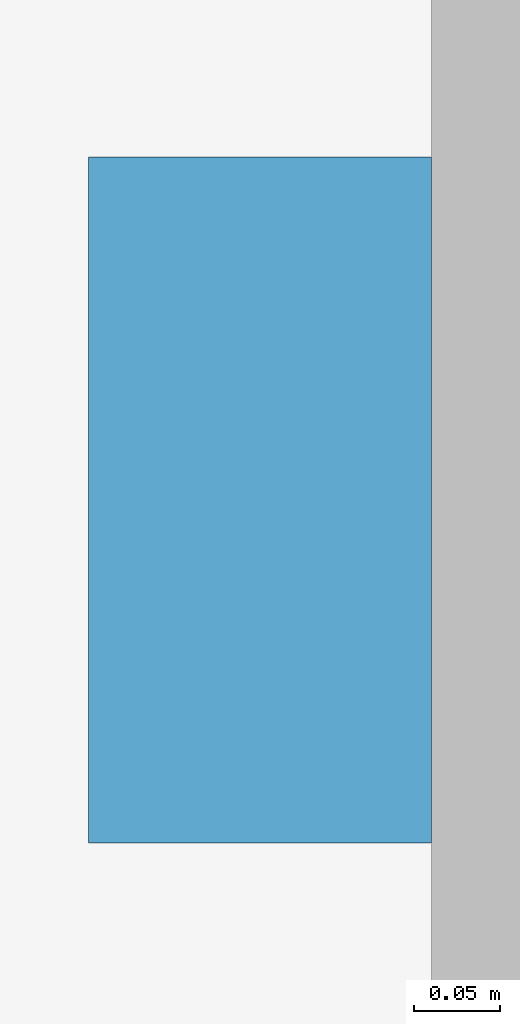
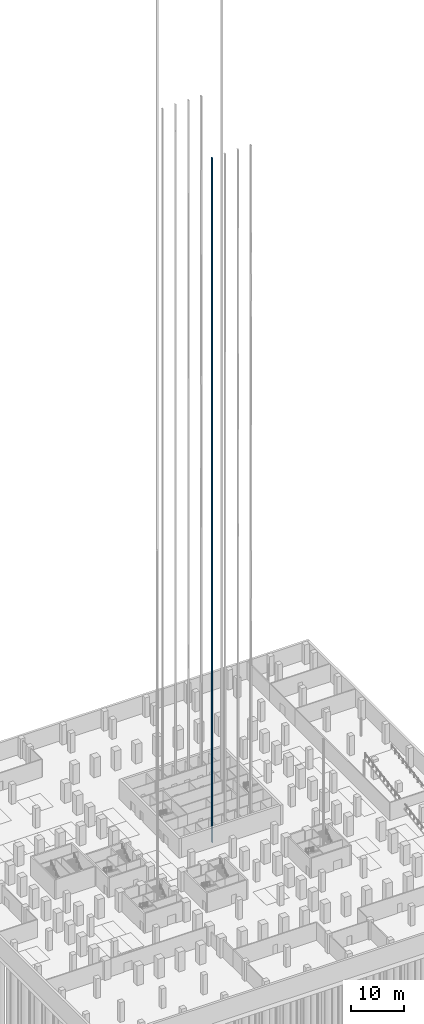
# One storey, part 23 of 37: 1 discrete accessory.
"""IFC4 building model written with IfcOpenShell, lengths in metres."""

import ifcopenshell
import ifcopenshell.guid

model = None  # the IFC model being written
_history = None  # IfcOwnerHistory: only IFC2X3 demands one
_inside = {}  # id of a spatial element -> (the spatial element, [elements in it])
_under = {}  # id of a project, library or spatial element -> (it, [spatial elements below it])
_declared = {}  # id of a project -> (the project, [libraries it declares])
_typed = {}  # id of a type object -> (the type object, [elements of that type])
_made_of = {}  # id of a material, layer set ... -> (it, [elements and type objects made of it])


def new_model(schema):
    """Start an empty IFC model of exactly this schema.

    Asked for "IFC4X3", IfcOpenShell would pick the latest addendum, in which some entities
    have other attributes; the version numbers below select the first issue.
    IFC2X3 requires an IfcOwnerHistory on every rooted entity: one is made here for all.
    """
    global model, _history
    if schema == "IFC4X3":
        model = ifcopenshell.file(schema_version=(4, 3, 0, 0))
    else:
        model = ifcopenshell.file(schema=schema)
    _inside.clear()
    _under.clear()
    _declared.clear()
    _typed.clear()
    _made_of.clear()
    _history = None
    if model.schema == "IFC2X3":
        org = make("IfcOrganization", Name="unknown")
        user = make(
            "IfcPersonAndOrganization",
            ThePerson=make("IfcPerson", FamilyName="unknown"),
            TheOrganization=org,
        )
        app = make(
            "IfcApplication",
            ApplicationDeveloper=org,
            Version="unknown",
            ApplicationFullName="unknown",
            ApplicationIdentifier="unknown",
        )
        _history = make(
            "IfcOwnerHistory",
            OwningUser=user,
            OwningApplication=app,
            ChangeAction="ADDED",
            CreationDate=0,
        )
    return model


def make(cls, **values):
    """One entity of the class cls with the attributes given. An attribute that is None is left unset."""
    return model.create_entity(
        cls, **{name: value for name, value in values.items() if value is not None}
    )


def rooted(cls, **values):
    """An entity with a GlobalId (a new one), such as an element, a storey or a relation."""
    return make(cls, GlobalId=ifcopenshell.guid.new(), OwnerHistory=_history, **values)


def si_unit(unit_type, name, prefix=None):
    """IfcSIUnit, for example si_unit("LENGTHUNIT", "METRE", prefix="MILLI")."""
    return make("IfcSIUnit", UnitType=unit_type, Prefix=prefix, Name=name)


def assignment(units):
    """IfcUnitAssignment: the units of a project."""
    return None if units is None else make("IfcUnitAssignment", Units=units)


def point(xyz):
    """IfcCartesianPoint."""
    return None if xyz is None else make("IfcCartesianPoint", Coordinates=xyz)


def direction(xyz):
    """IfcDirection."""
    return None if xyz is None else make("IfcDirection", DirectionRatios=xyz)


def frame(location, z_axis=None, x_axis=None):
    """IfcAxis2Placement3D, a coordinate frame: its origin and axes. An axis left out is left unset."""
    return make(
        "IfcAxis2Placement3D",
        Location=point(location),
        Axis=direction(z_axis),
        RefDirection=direction(x_axis),
    )


def frame_2d(location, x_axis=None):
    """IfcAxis2Placement2D, a coordinate frame in the plane: its origin and x axis."""
    return make(
        "IfcAxis2Placement2D", Location=point(location), RefDirection=direction(x_axis)
    )


def origin():
    """The frame at (0, 0, 0) with its axes left unset."""
    return frame((0.0, 0.0, 0.0))


def origin_2d():
    """The frame at (0, 0) in the plane with its x axis left unset."""
    return frame_2d((0.0, 0.0))


def place(relative_to, where):
    """IfcLocalPlacement: puts the frame where relative to a parent placement (None: the world)."""
    return make(
        "IfcLocalPlacement", PlacementRelTo=relative_to, RelativePlacement=where
    )


def context(
    kind, dimensions, precision=None, world=None, true_north=None, identifier=None
):
    """IfcGeometricRepresentationContext, for example the 3D "Model" context."""
    return make(
        "IfcGeometricRepresentationContext",
        ContextIdentifier=identifier,
        ContextType=kind,
        CoordinateSpaceDimension=dimensions,
        Precision=precision,
        WorldCoordinateSystem=world,
        TrueNorth=true_north,
    )


def subcontext(parent, identifier, kind, view, scale=None):
    """IfcGeometricRepresentationSubContext, for example "Body" below "Model"."""
    return make(
        "IfcGeometricRepresentationSubContext",
        ContextIdentifier=identifier,
        ContextType=kind,
        ParentContext=parent,
        TargetScale=scale,
        TargetView=view,
    )


def project(units=None, contexts=None):
    """IfcProject with its units and contexts."""
    return rooted(
        "IfcProject",
        Name="project",
        RepresentationContexts=contexts,
        UnitsInContext=assignment(units),
    )


def spatial(cls, under=None, at=None, **own):
    """A site, building, storey or space (cls), placed at a placement, below another one or the project."""
    s = rooted(cls, ObjectPlacement=at, **own)
    if under is not None:
        _under.setdefault(under.id(), (under, []))[1].append(s)
    return s


def profile(cls, at=None, kind="AREA", **sizes):
    """A parametric profile (cls). Its sizes go by their IFC names, for example OverallWidth=200.0."""
    return make(cls, ProfileType=kind, Position=at, **sizes)


def rectangle(**sizes):
    """IfcRectangleProfileDef."""
    return profile("IfcRectangleProfileDef", **sizes)


def extrude(swept, where, along, depth):
    """IfcExtrudedAreaSolid: the profile swept, set in the frame where, extruded along a direction by depth."""
    return make(
        "IfcExtrudedAreaSolid",
        SweptArea=swept,
        Position=where,
        ExtrudedDirection=direction(along),
        Depth=depth,
    )


def shape(context_of_items, identifier, shape_type, items):
    """IfcShapeRepresentation: the items that make up one representation, for example the "Body"."""
    return make(
        "IfcShapeRepresentation",
        ContextOfItems=context_of_items,
        RepresentationIdentifier=identifier,
        RepresentationType=shape_type,
        Items=items,
    )


def material(Name=None, Category=None):
    """IfcMaterial."""
    return make("IfcMaterial", Name=Name, Category=Category)


def made_of(thing, what):
    """Note that an element or type object is made of a material, layer set ...; save() writes the relation."""
    if what is not None:
        _made_of.setdefault(what.id(), (what, []))[1].append(thing)
    return thing


def element(
    cls,
    number,
    at=None,
    inside=None,
    cuts=None,
    type_object=None,
    material=None,
    context=None,
    identifier="Body",
    shape_type=None,
    held_by="IfcProductDefinitionShape",
    body=None,
    shapes=None,
    **own,
):
    """One element of the class cls, such as IfcWall. Its Tag is "e" and its number.

    at: its placement. inside: the storey or other place that contains it. cuts: it is an
    opening in that element (IfcRelVoidsElement). A single representation is given by context,
    identifier, shape_type and body (its items); several are given by shapes. held_by: the class
    of the entity that holds the representations. save() writes the other relations.
    """
    e = rooted(cls, Tag="e%d" % number, ObjectPlacement=at, **own)
    if body is not None:
        shapes = [shape(context, identifier, shape_type, body)]
    if shapes is not None:
        e.Representation = make(held_by, Representations=shapes)
    if inside is not None:
        _inside.setdefault(inside.id(), (inside, []))[1].append(e)
    if cuts is not None:
        rooted(
            "IfcRelVoidsElement", RelatingBuildingElement=cuts, RelatedOpeningElement=e
        )
    if type_object is not None:
        _typed.setdefault(type_object.id(), (type_object, []))[1].append(e)
    return made_of(e, material)


def aggregate(whole, parts):
    """IfcRelAggregates: a whole, such as a stair, and the parts it consists of."""
    return rooted("IfcRelAggregates", RelatingObject=whole, RelatedObjects=parts)


def save(model, path):
    """Write the relations noted so far, then the file.

    IfcRelAggregates (storeys below a building ...), IfcRelContainedInSpatialStructure (elements
    in a storey), IfcRelDefinesByType, IfcRelAssociatesMaterial and IfcRelDeclares: one each for
    every whole, place, type object, material and project.
    """
    for whole, parts in _under.values():
        aggregate(whole, parts)
    for where, things in _inside.values():
        rooted(
            "IfcRelContainedInSpatialStructure",
            RelatedElements=things,
            RelatingStructure=where,
        )
    for kind, things in _typed.values():
        rooted("IfcRelDefinesByType", RelatedObjects=things, RelatingType=kind)
    for what, things in _made_of.values():
        rooted("IfcRelAssociatesMaterial", RelatedObjects=things, RelatingMaterial=what)
    for by, libraries in _declared.values():
        rooted("IfcRelDeclares", RelatingContext=by, RelatedDefinitions=libraries)
    model.write(path)


model = new_model("IFC4")

# Units and contexts
model_context = context("Model", 3, precision=1e-05, world=origin(), true_north=direction((0.0, 1.0)))
body_context = subcontext(model_context, "Body", "Model", "MODEL_VIEW")
ifc_project = project(units=[si_unit("LENGTHUNIT", "METRE"), si_unit("AREAUNIT", "SQUARE_METRE"), si_unit("VOLUMEUNIT", "CUBIC_METRE"), si_unit("PLANEANGLEUNIT", "RADIAN"), si_unit("MASSUNIT", "GRAM", prefix="KILO")], contexts=[model_context])

# Site, building, storey
site_placement = place(None, origin())
site = spatial("IfcSite", under=ifc_project, at=site_placement, CompositionType="ELEMENT")
building_placement = place(site_placement, origin())
building = spatial("IfcBuilding", under=site, at=building_placement, Name="Quoin Convention Tower", CompositionType="ELEMENT")
storey_placement = place(building_placement, frame((0.0, 0.0, -9.0)))
storey = spatial("IfcBuildingStorey", under=building, at=storey_placement, Name="B2", CompositionType="ELEMENT", Elevation=-9.0)

# Discrete accessory
ifc_material = material(Name="Galvanised steel", Category="steel")
discrete_accessory_placement = place(storey_placement, frame((53.25, 51.449951171875, -0.349853515625), z_axis=(0.0, 0.0, 1.0), x_axis=(1.0, 0.0, 0.0)))
element("IfcDiscreteAccessory", 1, at=discrete_accessory_placement, inside=storey, material=ifc_material, Name="LIFT GUIDE RAILS L1", ObjectType="Lift guide rails", PredefinedType="USERDEFINED", context=body_context, shape_type="SweptSolid", body=[
    extrude(rectangle(XDim=0.199951171875, YDim=0.39990234375, at=origin_2d()), origin(), (0.0, 0.0, 1.0), 156.89990234375),
])

save(model, "model.ifc")
